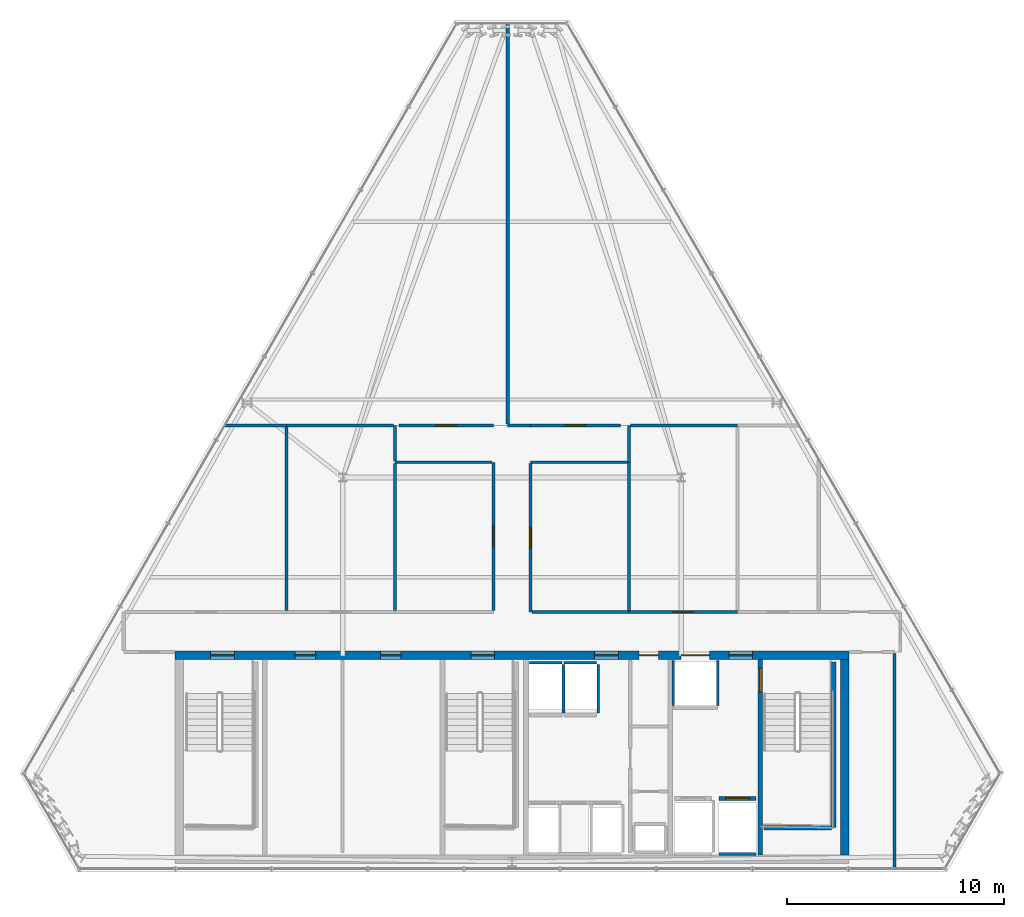
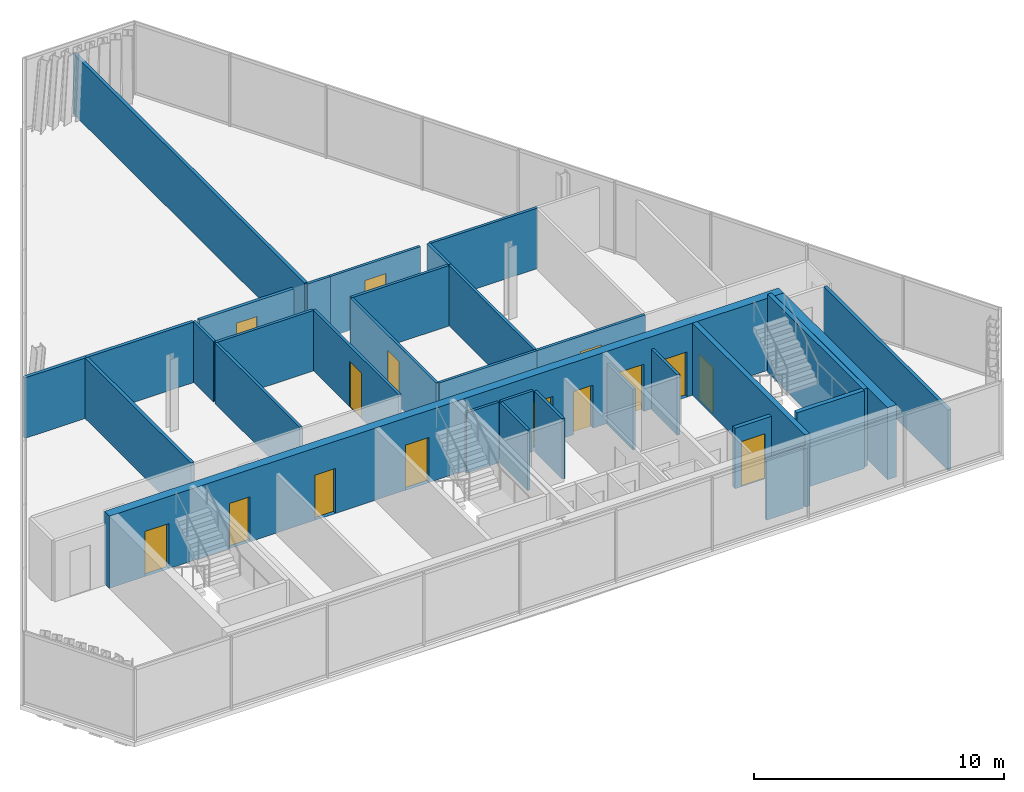
# One storey, part 31 of 35: 32 walls, 15 doors, 15 openings.
"""IFC4 building model written with IfcOpenShell, lengths in metres."""

from ifc_helpers import new_model, si_unit, direction, frame, frame_2d, origin, place, context, subcontext, project, spatial, rectangle, extrude, material, layer, layer_set, type_object, element, fill, save


model = new_model("IFC4")

# Units and contexts
model_context = context("Model", 3, precision=1e-05, world=origin(), true_north=direction((0.0, 1.0)))
body_context = subcontext(model_context, "Body", "Model", "MODEL_VIEW")
ifc_project = project(units=[si_unit("LENGTHUNIT", "METRE"), si_unit("AREAUNIT", "SQUARE_METRE"), si_unit("VOLUMEUNIT", "CUBIC_METRE"), si_unit("PLANEANGLEUNIT", "RADIAN"), si_unit("MASSUNIT", "GRAM", prefix="KILO")], contexts=[model_context])

# Site, building, storey
site_placement = place(None, origin())
site = spatial("IfcSite", under=ifc_project, at=site_placement, CompositionType="ELEMENT")
building_placement = place(site_placement, origin())
building = spatial("IfcBuilding", under=site, at=building_placement, Name="Ndaravel Arena Tower", CompositionType="ELEMENT")
storey_placement = place(building_placement, frame((0.0, 0.0, 275.0)))
storey = spatial("IfcBuildingStorey", under=building, at=storey_placement, Name="L67", CompositionType="ELEMENT", Elevation=275.0)

# Wall, opening, door
ifc_material_1 = material(Name="Concrete C50/60", Category="concrete")
ifc_layer_1 = layer(ifc_material_1, 0.219970703125)
ifc_layer_set_1 = layer_set([ifc_layer_1], Name="Concrete C50/60")
wall_type_1 = type_object("IfcWallType", Name="WALL-CORE-220", PredefinedType="SOLIDWALL", material=ifc_layer_set_1)
wall_1_placement = place(storey_placement, frame((53.449951171875, 5.800048828125, 0.0), z_axis=(0.0, 0.0, 1.0), x_axis=(0.0, 1.0, 0.0)))
wall_1 = element("IfcWall", 1, at=wall_1_placement, inside=storey, type_object=wall_type_1, Name="L67 Core Web Shear Wall 5", PredefinedType="SOLIDWALL", context=body_context, shape_type="SweptSolid", body=[
    extrude(rectangle(XDim=9.0, YDim=0.219970703125, at=frame_2d((4.5, 0.0))), origin(), (0.0, 0.0, 1.0), 3.52001953125),
])
opening_1_placement = place(wall_1_placement, frame((7.5, 0.0, 0.0)))
opening_1 = element("IfcOpeningElement", 2, at=opening_1_placement, cuts=wall_1, Name="Opening FD-01", PredefinedType="OPENING", context=body_context, shape_type="SweptSolid", body=[
    extrude(rectangle(XDim=1.10009765625, YDim=2.199951171875, at=frame_2d((0.550048828125, 1.10009765625))), frame((0.0, 0.10986328125, 0.0), z_axis=(0.0, -1.0, 0.0), x_axis=(1.0, 0.0, 0.0)), (0.0, 0.0, 1.0), 0.219970703125),
])
ifc_material_2 = material(Name="Steel S355", Category="steel")
door_type_1 = type_object("IfcDoorType", Name="DT-01-STAIR-1100", OperationType="SINGLE_SWING_LEFT", PredefinedType="DOOR", material=ifc_material_2)
door_1_placement = place(opening_1_placement, origin())
door_1 = element("IfcDoor", 3, at=door_1_placement, inside=storey, type_object=door_type_1, Name="L67 Firefighting Lobby to ST-3 Door", OperationType="SINGLE_SWING_LEFT", OverallHeight=2.199951171875, OverallWidth=1.10009765625, PredefinedType="DOOR", context=body_context, shape_type="SweptSolid", body=[
    extrude(rectangle(XDim=1.10009765625, YDim=2.199951171875, at=frame_2d((0.550048828125, 1.10009765625))), frame((0.0, 0.02490234375, 0.0), z_axis=(0.0, -1.0, 0.0), x_axis=(1.0, 0.0, 0.0)), (0.0, 0.0, 1.0), 0.050048828125),
])
fill(opening_1, door_1)

# Wall, openings, doors
ifc_material_3 = material(Name="Concrete C50/60", Category="concrete")
ifc_layer_2 = layer(ifc_material_3, 0.39990234375)
ifc_layer_set_2 = layer_set([ifc_layer_2], Name="Concrete C50/60")
wall_type_2 = type_object("IfcWallType", Name="WALL-CORE-400", PredefinedType="SOLIDWALL", material=ifc_layer_set_2)
wall_2_placement = place(storey_placement, frame((26.449951171875, 15.0, 0.0), z_axis=(0.0, 0.0, 1.0), x_axis=(1.0, 0.0, 0.0)))
wall_2 = element("IfcWall", 4, at=wall_2_placement, inside=storey, type_object=wall_type_2, Name="L67 Core North Shear Wall", PredefinedType="SOLIDWALL", context=body_context, shape_type="SweptSolid", body=[
    extrude(rectangle(XDim=31.10009765625, YDim=0.39990234375, at=frame_2d((15.550048828125, 0.0))), origin(), (0.0, 0.0, 1.0), 3.52001953125),
])
opening_2_placement = place(wall_2_placement, frame((1.64990234375, 0.0, 0.0)))
opening_2 = element("IfcOpeningElement", 5, at=opening_2_placement, cuts=wall_2, Name="Opening FD-01", PredefinedType="OPENING", context=body_context, shape_type="SweptSolid", body=[
    extrude(rectangle(XDim=1.10009765625, YDim=2.199951171875, at=frame_2d((0.550048828125, 1.10009765625))), frame((0.0, 0.199951171875, 0.0), z_axis=(0.0, -1.0, 0.0), x_axis=(1.0, 0.0, 0.0)), (0.0, 0.0, 1.0), 0.39990234375),
])
opening_3_placement = place(wall_2_placement, frame((13.64990234375, 0.0, 0.0)))
opening_3 = element("IfcOpeningElement", 6, at=opening_3_placement, cuts=wall_2, Name="Opening FD-01", PredefinedType="OPENING", context=body_context, shape_type="SweptSolid", body=[
    extrude(rectangle(XDim=1.10009765625, YDim=2.199951171875, at=frame_2d((0.550048828125, 1.10009765625))), frame((0.0, 0.199951171875, 0.0), z_axis=(0.0, -1.0, 0.0), x_axis=(1.0, 0.0, 0.0)), (0.0, 0.0, 1.0), 0.39990234375),
])
opening_4_placement = place(wall_2_placement, frame((25.550048828125, 0.0, 0.0)))
opening_4 = element("IfcOpeningElement", 7, at=opening_4_placement, cuts=wall_2, Name="Opening FD-01", PredefinedType="OPENING", context=body_context, shape_type="SweptSolid", body=[
    extrude(rectangle(XDim=1.10009765625, YDim=2.199951171875, at=frame_2d((0.550048828125, 1.10009765625))), frame((0.0, 0.199951171875, 0.0), z_axis=(0.0, -1.0, 0.0), x_axis=(1.0, 0.0, 0.0)), (0.0, 0.0, 1.0), 0.39990234375),
])
opening_5_placement = place(wall_2_placement, frame((19.35009765625, 0.0, 0.0)))
opening_5 = element("IfcOpeningElement", 8, at=opening_5_placement, cuts=wall_2, Name="Opening FD-01", PredefinedType="OPENING", context=body_context, shape_type="SweptSolid", body=[
    extrude(rectangle(XDim=1.10009765625, YDim=2.199951171875, at=frame_2d((0.550048828125, 1.10009765625))), frame((0.0, 0.199951171875, 0.0), z_axis=(0.0, -1.0, 0.0), x_axis=(1.0, 0.0, 0.0)), (0.0, 0.0, 1.0), 0.39990234375),
])
opening_6_placement = place(wall_2_placement, frame((21.39990234375, 0.0, 0.0)))
opening_6 = element("IfcOpeningElement", 9, at=opening_6_placement, cuts=wall_2, Name="Opening RD-01", PredefinedType="OPENING", context=body_context, shape_type="SweptSolid", body=[
    extrude(rectangle(XDim=0.89990234375, YDim=2.10009765625, at=frame_2d((0.449951171875, 1.050048828125))), frame((0.0, 0.199951171875, 0.0), z_axis=(0.0, -1.0, 0.0), x_axis=(1.0, 0.0, 0.0)), (0.0, 0.0, 1.0), 0.39990234375),
])
opening_7_placement = place(wall_2_placement, frame((5.5400390625, 0.0, 0.0)))
opening_7 = element("IfcOpeningElement", 10, at=opening_7_placement, cuts=wall_2, Name="Opening FD-03", PredefinedType="OPENING", context=body_context, shape_type="SweptSolid", body=[
    extrude(rectangle(XDim=0.949951171875, YDim=2.199951171875, at=frame_2d((0.47509765625, 1.10009765625))), frame((0.0, 0.199951171875, 0.0), z_axis=(0.0, -1.0, 0.0), x_axis=(1.0, 0.0, 0.0)), (0.0, 0.0, 1.0), 0.39990234375),
])
opening_8_placement = place(wall_2_placement, frame((9.489990234375, 0.0, 0.0)))
opening_8 = element("IfcOpeningElement", 11, at=opening_8_placement, cuts=wall_2, Name="Opening FD-03", PredefinedType="OPENING", context=body_context, shape_type="SweptSolid", body=[
    extrude(rectangle(XDim=0.949951171875, YDim=2.199951171875, at=frame_2d((0.47509765625, 1.10009765625))), frame((0.0, 0.199951171875, 0.0), z_axis=(0.0, -1.0, 0.0), x_axis=(1.0, 0.0, 0.0)), (0.0, 0.0, 1.0), 0.39990234375),
])
opening_9_placement = place(wall_2_placement, frame((23.35009765625, 0.0, 0.0)))
opening_9 = element("IfcOpeningElement", 12, at=opening_9_placement, cuts=wall_2, Name="Opening LD-02", PredefinedType="OPENING", context=body_context, shape_type="SweptSolid", body=[
    extrude(rectangle(XDim=1.300048828125, YDim=2.300048828125, at=frame_2d((0.64990234375, 1.14990234375))), frame((0.0, 0.199951171875, 0.0), z_axis=(0.0, -1.0, 0.0), x_axis=(1.0, 0.0, 0.0)), (0.0, 0.0, 1.0), 0.39990234375),
])
door_2_placement = place(opening_2_placement, origin())
door_2 = element("IfcDoor", 13, at=door_2_placement, inside=storey, type_object=door_type_1, Name="L67 Exit Stair ST-1 Door", OperationType="SINGLE_SWING_RIGHT", OverallHeight=2.199951171875, OverallWidth=1.10009765625, PredefinedType="DOOR", context=body_context, shape_type="SweptSolid", body=[
    extrude(rectangle(XDim=1.10009765625, YDim=2.199951171875, at=frame_2d((0.550048828125, 1.10009765625))), frame((0.0, 0.02490234375, 0.0), z_axis=(0.0, -1.0, 0.0), x_axis=(1.0, 0.0, 0.0)), (0.0, 0.0, 1.0), 0.050048828125),
])
fill(opening_2, door_2)
door_3_placement = place(opening_3_placement, origin())
door_3 = element("IfcDoor", 14, at=door_3_placement, inside=storey, type_object=door_type_1, Name="L67 Exit Stair ST-2 Door", OperationType="SINGLE_SWING_LEFT", OverallHeight=2.199951171875, OverallWidth=1.10009765625, PredefinedType="DOOR", context=body_context, shape_type="SweptSolid", body=[
    extrude(rectangle(XDim=1.10009765625, YDim=2.199951171875, at=frame_2d((0.550048828125, 1.10009765625))), frame((0.0, 0.02490234375, 0.0), z_axis=(0.0, -1.0, 0.0), x_axis=(1.0, 0.0, 0.0)), (0.0, 0.0, 1.0), 0.050048828125),
])
fill(opening_3, door_3)
door_4_placement = place(opening_4_placement, origin())
door_4 = element("IfcDoor", 15, at=door_4_placement, inside=storey, type_object=door_type_1, Name="L67 Firefighting Lift Lobby Door", OperationType="SINGLE_SWING_RIGHT", OverallHeight=2.199951171875, OverallWidth=1.10009765625, PredefinedType="DOOR", context=body_context, shape_type="SweptSolid", body=[
    extrude(rectangle(XDim=1.10009765625, YDim=2.199951171875, at=frame_2d((0.550048828125, 1.10009765625))), frame((0.0, 0.02490234375, 0.0), z_axis=(0.0, -1.0, 0.0), x_axis=(1.0, 0.0, 0.0)), (0.0, 0.0, 1.0), 0.050048828125),
])
fill(opening_4, door_4)
door_5_placement = place(opening_5_placement, origin())
door_5 = element("IfcDoor", 16, at=door_5_placement, inside=storey, type_object=door_type_1, Name="L67 Express Lift Lobby Entry Door", OperationType="SINGLE_SWING_LEFT", OverallHeight=2.199951171875, OverallWidth=1.10009765625, PredefinedType="DOOR", context=body_context, shape_type="SweptSolid", body=[
    extrude(rectangle(XDim=1.10009765625, YDim=2.199951171875, at=frame_2d((0.550048828125, 1.10009765625))), frame((0.0, 0.02490234375, 0.0), z_axis=(0.0, -1.0, 0.0), x_axis=(1.0, 0.0, 0.0)), (0.0, 0.0, 1.0), 0.050048828125),
])
fill(opening_5, door_5)
ifc_material_4 = material(Name="Steel S355", Category="steel")
door_type_2 = type_object("IfcDoorType", Name="DT-07-SVLIFT-1300", OperationType="DOUBLE_DOOR_SLIDING", PredefinedType="DOOR", material=ifc_material_4)
door_6_placement = place(opening_9_placement, origin())
door_6 = element("IfcDoor", 17, at=door_6_placement, inside=storey, type_object=door_type_2, Name="L67 Lift SVL-1 Sliding Landing Door", OperationType="DOUBLE_DOOR_SLIDING", OverallHeight=2.300048828125, OverallWidth=1.300048828125, PredefinedType="DOOR", context=body_context, shape_type="SweptSolid", body=[
    extrude(rectangle(XDim=1.300048828125, YDim=2.300048828125, at=frame_2d((0.64990234375, 1.14990234375))), frame((0.0, 0.02490234375, 0.0), z_axis=(0.0, -1.0, 0.0), x_axis=(1.0, 0.0, 0.0)), (0.0, 0.0, 1.0), 0.050048828125),
])
fill(opening_9, door_6)
ifc_material_5 = material(Name="Steel S355", Category="steel")
door_type_3 = type_object("IfcDoorType", Name="DT-08-RISER-900", OperationType="SINGLE_SWING_LEFT", PredefinedType="DOOR", material=ifc_material_5)
door_7_placement = place(opening_6_placement, origin())
door_7 = element("IfcDoor", 18, at=door_7_placement, inside=storey, type_object=door_type_3, Name="L67 Core Service Riser North Door", OperationType="SINGLE_SWING_LEFT", OverallHeight=2.10009765625, OverallWidth=0.89990234375, PredefinedType="DOOR", context=body_context, shape_type="SweptSolid", body=[
    extrude(rectangle(XDim=0.89990234375, YDim=2.10009765625, at=frame_2d((0.449951171875, 1.050048828125))), frame((0.0, 0.02490234375, 0.0), z_axis=(0.0, -1.0, 0.0), x_axis=(1.0, 0.0, 0.0)), (0.0, 0.0, 1.0), 0.050048828125),
])
fill(opening_6, door_7)
ifc_material_6 = material(Name="Steel S355", Category="steel")
door_type_4 = type_object("IfcDoorType", Name="DT-11-CORE-950", OperationType="SINGLE_SWING_LEFT", PredefinedType="DOOR", material=ifc_material_6)
door_8_placement = place(opening_7_placement, origin())
door_8 = element("IfcDoor", 19, at=door_8_placement, inside=storey, type_object=door_type_4, Name="L67 High-Zone Reclaimed Core Room 1 Door", OperationType="SINGLE_SWING_LEFT", OverallHeight=2.199951171875, OverallWidth=0.949951171875, PredefinedType="DOOR", context=body_context, shape_type="SweptSolid", body=[
    extrude(rectangle(XDim=0.949951171875, YDim=2.199951171875, at=frame_2d((0.47509765625, 1.10009765625))), frame((0.0, 0.02490234375, 0.0), z_axis=(0.0, -1.0, 0.0), x_axis=(1.0, 0.0, 0.0)), (0.0, 0.0, 1.0), 0.050048828125),
])
fill(opening_7, door_8)
door_9_placement = place(opening_8_placement, origin())
door_9 = element("IfcDoor", 20, at=door_9_placement, inside=storey, type_object=door_type_4, Name="L67 High-Zone Reclaimed Core Room 2 Door", OperationType="SINGLE_SWING_RIGHT", OverallHeight=2.199951171875, OverallWidth=0.949951171875, PredefinedType="DOOR", context=body_context, shape_type="SweptSolid", body=[
    extrude(rectangle(XDim=0.949951171875, YDim=2.199951171875, at=frame_2d((0.47509765625, 1.10009765625))), frame((0.0, 0.02490234375, 0.0), z_axis=(0.0, -1.0, 0.0), x_axis=(1.0, 0.0, 0.0)), (0.0, 0.0, 1.0), 0.050048828125),
])
fill(opening_8, door_9)

# Wall
wall_3_placement = place(storey_placement, frame((57.35009765625, 5.800048828125, 0.0), z_axis=(0.0, 0.0, 1.0), x_axis=(0.0, 1.0, 0.0)))
element("IfcWall", 21, at=wall_3_placement, inside=storey, type_object=wall_type_2, Name="L67 Core East Shear Wall", PredefinedType="SOLIDWALL", context=body_context, shape_type="SweptSolid", body=[
    extrude(rectangle(XDim=9.0, YDim=0.39990234375, at=frame_2d((4.5, 0.0))), origin(), (0.0, 0.0, 1.0), 3.52001953125),
])

# Wall, opening, door
ifc_material_7 = material(Name="Gypsum", Category="gypsum")
ifc_layer_3 = layer(ifc_material_7, 0.125)
ifc_layer_set_3 = layer_set([ifc_layer_3], Name="Gypsum")
wall_type_3 = type_object("IfcWallType", Name="WALL-PART-125", PredefinedType="PARTITIONING", material=ifc_layer_set_3)
wall_4_placement = place(storey_placement, frame((41.14990234375, 17.06494140625, 0.0), z_axis=(0.0, 0.0, 1.0), x_axis=(0.0, 1.0, 0.0)))
wall_4 = element("IfcWall", 22, at=wall_4_placement, inside=storey, type_object=wall_type_3, Name="L67 Interior Partition 008", PredefinedType="PARTITIONING", context=body_context, shape_type="SweptSolid", body=[
    extrude(rectangle(XDim=6.8349609375, YDim=0.125, at=frame_2d((3.41748046875, 0.0))), origin(), (0.0, 0.0, 1.0), 2.950439453125),
])
opening_10_placement = place(wall_4_placement, frame((2.9423828125, 0.0, 0.0)))
opening_10 = element("IfcOpeningElement", 23, at=opening_10_placement, cuts=wall_4, Name="Opening ID-01", PredefinedType="OPENING", context=body_context, shape_type="SweptSolid", body=[
    extrude(rectangle(XDim=0.949951171875, YDim=2.199951171875, at=frame_2d((0.47509765625, 1.10009765625))), frame((0.0, 0.0625, 0.0), z_axis=(0.0, -1.0, 0.0), x_axis=(1.0, 0.0, 0.0)), (0.0, 0.0, 1.0), 0.125),
])
ifc_material_8 = material(Name="Timber", Category="wood")
door_type_5 = type_object("IfcDoorType", Name="DT-03-OFFICE-950", OperationType="SINGLE_SWING_LEFT", PredefinedType="DOOR", material=ifc_material_8)
door_10_placement = place(opening_10_placement, origin())
door_10 = element("IfcDoor", 24, at=door_10_placement, inside=storey, type_object=door_type_5, Name="L67 Quiet Reading Library Door", OperationType="SINGLE_SWING_RIGHT", OverallHeight=2.199951171875, OverallWidth=0.949951171875, PredefinedType="DOOR", context=body_context, shape_type="SweptSolid", body=[
    extrude(rectangle(XDim=0.949951171875, YDim=2.199951171875, at=frame_2d((0.47509765625, 1.10009765625))), frame((0.0, 0.02490234375, 0.0), z_axis=(0.0, -1.0, 0.0), x_axis=(1.0, 0.0, 0.0)), (0.0, 0.0, 1.0), 0.050048828125),
])
fill(opening_10, door_10)

# Walls
wall_5_placement = place(storey_placement, frame((41.0849609375, 23.89990234375, 0.0), z_axis=(0.0, 0.0, 1.0), x_axis=(-1.0, 0.0, 0.0)))
element("IfcWall", 25, at=wall_5_placement, inside=storey, type_object=wall_type_3, Name="L67 Interior Partition 009", PredefinedType="PARTITIONING", context=body_context, shape_type="SweptSolid", body=[
    extrude(rectangle(XDim=4.48486328125, YDim=0.125, at=frame_2d((2.242431640625, 0.0))), origin(), (0.0, 0.0, 1.0), 2.950439453125),
])
wall_6_placement = place(storey_placement, frame((36.60009765625, 23.965087890625, 0.0), z_axis=(0.0, 0.0, 1.0), x_axis=(0.0, 1.0, 0.0)))
element("IfcWall", 26, at=wall_6_placement, inside=storey, type_object=wall_type_3, Name="L67 Interior Partition 010", PredefinedType="PARTITIONING", context=body_context, shape_type="SweptSolid", body=[
    extrude(rectangle(XDim=1.635009765625, YDim=0.125, at=frame_2d((0.8173828125, 0.0))), origin(), (0.0, 0.0, 1.0), 2.950439453125),
])
wall_7_placement = place(storey_placement, frame((41.800048828125, 25.60009765625, 0.0), z_axis=(0.0, 0.0, 1.0), x_axis=(1.0, 0.0, 0.0)))
element("IfcWall", 27, at=wall_7_placement, inside=storey, type_object=wall_type_3, Name="L67 Interior Partition 012", PredefinedType="PARTITIONING", context=body_context, shape_type="SweptSolid", body=[
    extrude(rectangle(XDim=1.050048828125, YDim=0.125, at=frame_2d((0.52490234375, 0.0))), origin(), (0.0, 0.0, 1.0), 2.950439453125),
])

# Wall, opening, door
wall_8_placement = place(storey_placement, frame((42.85009765625, 25.60009765625, 0.0), z_axis=(0.0, 0.0, 1.0), x_axis=(1.0, 0.0, 0.0)))
wall_8 = element("IfcWall", 28, at=wall_8_placement, inside=storey, type_object=wall_type_3, Name="L67 Interior Partition 013", PredefinedType="PARTITIONING", context=body_context, shape_type="SweptSolid", body=[
    extrude(rectangle(XDim=4.14990234375, YDim=0.125, at=frame_2d((2.074951171875, 0.0))), origin(), (0.0, 0.0, 1.0), 2.950439453125),
])
opening_11_placement = place(wall_8_placement, frame((1.60009765625, 0.0, 0.0)))
opening_11 = element("IfcOpeningElement", 29, at=opening_11_placement, cuts=wall_8, Name="Opening ID-01", PredefinedType="OPENING", context=body_context, shape_type="SweptSolid", body=[
    extrude(rectangle(XDim=0.949951171875, YDim=2.199951171875, at=frame_2d((0.47509765625, 1.10009765625))), frame((0.0, 0.0625, 0.0), z_axis=(0.0, -1.0, 0.0), x_axis=(1.0, 0.0, 0.0)), (0.0, 0.0, 1.0), 0.125),
])
door_11_placement = place(opening_11_placement, origin())
door_11 = element("IfcDoor", 30, at=door_11_placement, inside=storey, type_object=door_type_5, Name="L67 Publication Shop 4 Door", OperationType="SINGLE_SWING_LEFT", OverallHeight=2.199951171875, OverallWidth=0.949951171875, PredefinedType="DOOR", context=body_context, shape_type="SweptSolid", body=[
    extrude(rectangle(XDim=0.949951171875, YDim=2.199951171875, at=frame_2d((0.47509765625, 1.10009765625))), frame((0.0, 0.02490234375, 0.0), z_axis=(0.0, -1.0, 0.0), x_axis=(1.0, 0.0, 0.0)), (0.0, 0.0, 1.0), 0.050048828125),
])
fill(opening_11, door_11)

# Walls
wall_9_placement = place(storey_placement, frame((47.39990234375, 25.60009765625, 0.0), z_axis=(0.0, 0.0, 1.0), x_axis=(0.0, -1.0, 0.0)))
element("IfcWall", 31, at=wall_9_placement, inside=storey, type_object=wall_type_3, Name="L67 Interior Partition 014", PredefinedType="PARTITIONING", context=body_context, shape_type="SweptSolid", body=[
    extrude(rectangle(XDim=1.7001953125, YDim=0.125, at=frame_2d((0.85009765625, 0.0))), origin(), (0.0, 0.0, 1.0), 2.950439453125),
])
wall_10_placement = place(storey_placement, frame((47.3349609375, 23.89990234375, 0.0), z_axis=(0.0, 0.0, 1.0), x_axis=(-1.0, 0.0, 0.0)))
element("IfcWall", 32, at=wall_10_placement, inside=storey, type_object=wall_type_3, Name="L67 Interior Partition 015", PredefinedType="PARTITIONING", context=body_context, shape_type="SweptSolid", body=[
    extrude(rectangle(XDim=4.48486328125, YDim=0.125, at=frame_2d((2.242431640625, 0.0))), origin(), (0.0, 0.0, 1.0), 2.950439453125),
])

# Wall, opening, door
wall_11_placement = place(storey_placement, frame((42.85009765625, 23.8349609375, 0.0), z_axis=(0.0, 0.0, 1.0), x_axis=(0.0, -1.0, 0.0)))
wall_11 = element("IfcWall", 33, at=wall_11_placement, inside=storey, type_object=wall_type_3, Name="L67 Interior Partition 016", PredefinedType="PARTITIONING", context=body_context, shape_type="SweptSolid", body=[
    extrude(rectangle(XDim=6.8349609375, YDim=0.125, at=frame_2d((3.41748046875, 0.0))), origin(), (0.0, 0.0, 1.0), 2.950439453125),
])
opening_12_placement = place(wall_11_placement, frame((2.9423828125, 0.0, 0.0)))
opening_12 = element("IfcOpeningElement", 34, at=opening_12_placement, cuts=wall_11, Name="Opening ID-01", PredefinedType="OPENING", context=body_context, shape_type="SweptSolid", body=[
    extrude(rectangle(XDim=0.949951171875, YDim=2.199951171875, at=frame_2d((0.47509765625, 1.10009765625))), frame((0.0, 0.0625, 0.0), z_axis=(0.0, -1.0, 0.0), x_axis=(1.0, 0.0, 0.0)), (0.0, 0.0, 1.0), 0.125),
])
door_12_placement = place(opening_12_placement, origin())
door_12 = element("IfcDoor", 35, at=door_12_placement, inside=storey, type_object=door_type_5, Name="L67 Floor Security Control Room Door", OperationType="SINGLE_SWING_LEFT", OverallHeight=2.199951171875, OverallWidth=0.949951171875, PredefinedType="DOOR", context=body_context, shape_type="SweptSolid", body=[
    extrude(rectangle(XDim=0.949951171875, YDim=2.199951171875, at=frame_2d((0.47509765625, 1.10009765625))), frame((0.0, 0.02490234375, 0.0), z_axis=(0.0, -1.0, 0.0), x_axis=(1.0, 0.0, 0.0)), (0.0, 0.0, 1.0), 0.050048828125),
])
fill(opening_12, door_12)

# Wall
wall_12_placement = place(storey_placement, frame((42.9150390625, 17.0, 0.0), z_axis=(0.0, 0.0, 1.0), x_axis=(1.0, 0.0, 0.0)))
element("IfcWall", 36, at=wall_12_placement, inside=storey, type_object=wall_type_3, Name="L67 Interior Partition 017", PredefinedType="PARTITIONING", context=body_context, shape_type="SweptSolid", body=[
    extrude(rectangle(XDim=4.48486328125, YDim=0.125, at=frame_2d((2.242431640625, 0.0))), origin(), (0.0, 0.0, 1.0), 2.950439453125),
])

# Wall, opening, door
wall_13_placement = place(storey_placement, frame((47.39990234375, 17.0, 0.0), z_axis=(0.0, 0.0, 1.0), x_axis=(1.0, 0.0, 0.0)))
wall_13 = element("IfcWall", 37, at=wall_13_placement, inside=storey, type_object=wall_type_3, Name="L67 Interior Partition 018", PredefinedType="PARTITIONING", context=body_context, shape_type="SweptSolid", body=[
    extrude(rectangle(XDim=5.0, YDim=0.125, at=frame_2d((2.5, 0.0))), origin(), (0.0, 0.0, 1.0), 2.950439453125),
])
opening_13_placement = place(wall_13_placement, frame((2.02490234375, 0.0, 0.0)))
opening_13 = element("IfcOpeningElement", 38, at=opening_13_placement, cuts=wall_13, Name="Opening ID-01", PredefinedType="OPENING", context=body_context, shape_type="SweptSolid", body=[
    extrude(rectangle(XDim=0.949951171875, YDim=2.199951171875, at=frame_2d((0.47509765625, 1.10009765625))), frame((0.0, 0.0625, 0.0), z_axis=(0.0, -1.0, 0.0), x_axis=(1.0, 0.0, 0.0)), (0.0, 0.0, 1.0), 0.125),
])
door_13_placement = place(opening_13_placement, origin())
door_13 = element("IfcDoor", 39, at=door_13_placement, inside=storey, type_object=door_type_5, Name="L67 Innovation Showroom 3 Door", OperationType="SINGLE_SWING_LEFT", OverallHeight=2.199951171875, OverallWidth=0.949951171875, PredefinedType="DOOR", context=body_context, shape_type="SweptSolid", body=[
    extrude(rectangle(XDim=0.949951171875, YDim=2.199951171875, at=frame_2d((0.47509765625, 1.10009765625))), frame((0.0, 0.02490234375, 0.0), z_axis=(0.0, -1.0, 0.0), x_axis=(1.0, 0.0, 0.0)), (0.0, 0.0, 1.0), 0.050048828125),
])
fill(opening_13, door_13)

# Walls
wall_14_placement = place(storey_placement, frame((36.60009765625, 17.06494140625, 0.0), z_axis=(0.0, 0.0, 1.0), x_axis=(0.0, 1.0, 0.0)))
element("IfcWall", 40, at=wall_14_placement, inside=storey, type_object=wall_type_3, Name="L67 Interior Partition 023", PredefinedType="PARTITIONING", context=body_context, shape_type="SweptSolid", body=[
    extrude(rectangle(XDim=6.77001953125, YDim=0.125, at=frame_2d((3.385009765625, 0.0))), origin(), (0.0, 0.0, 1.0), 2.950439453125),
])
wall_15_placement = place(storey_placement, frame((47.39990234375, 23.89990234375, 0.0), z_axis=(0.0, 0.0, 1.0), x_axis=(0.0, -1.0, 0.0)))
element("IfcWall", 41, at=wall_15_placement, inside=storey, type_object=wall_type_3, Name="L67 Interior Partition 024", PredefinedType="PARTITIONING", context=body_context, shape_type="SweptSolid", body=[
    extrude(rectangle(XDim=6.8349609375, YDim=0.125, at=frame_2d((3.41748046875, 0.0))), origin(), (0.0, 0.0, 1.0), 2.950439453125),
])
wall_16_placement = place(storey_placement, frame((47.465087890625, 25.60009765625, 0.0), z_axis=(0.0, 0.0, 1.0), x_axis=(1.0, 0.0, 0.0)))
element("IfcWall", 42, at=wall_16_placement, inside=storey, type_object=wall_type_3, Name="L67 Interior Partition 030", PredefinedType="PARTITIONING", context=body_context, shape_type="SweptSolid", body=[
    extrude(rectangle(XDim=4.934814453125, YDim=0.125, at=frame_2d((2.46728515625, 0.0))), origin(), (0.0, 0.0, 1.0), 2.950439453125),
])
ifc_material_9 = material(Name="Concrete C40/50", Category="concrete")
ifc_layer_4 = layer(ifc_material_9, 0.1201171875)
ifc_layer_set_4 = layer_set([ifc_layer_4], Name="Concrete C40/50")
wall_type_4 = type_object("IfcWallType", Name="WALL-SHAFT-120", PredefinedType="SOLIDWALL", material=ifc_layer_set_4)
wall_17_placement = place(storey_placement, frame((42.804931640625, 14.659912109375, 0.0), z_axis=(0.0, 0.0, 1.0), x_axis=(1.0, 0.0, 0.0)))
element("IfcWall", 43, at=wall_17_placement, inside=storey, type_object=wall_type_4, Name="L67 PL-OBS1 Shaft Rear Wall", PredefinedType="SOLIDWALL", context=body_context, shape_type="SweptSolid", body=[
    extrude(rectangle(XDim=1.489990234375, YDim=0.1201171875, at=frame_2d((0.7451171875, 0.0))), origin(), (0.0, 0.0, 1.0), 2.950439453125),
])
wall_18_placement = place(storey_placement, frame((44.375, 12.340087890625, 0.0), z_axis=(0.0, 0.0, 1.0), x_axis=(0.0, 1.0, 0.0)))
element("IfcWall", 44, at=wall_18_placement, inside=storey, type_object=wall_type_4, Name="L67 PL-OBS1 Shaft Side R Wall", PredefinedType="SOLIDWALL", context=body_context, shape_type="SweptSolid", body=[
    extrude(rectangle(XDim=2.22998046875, YDim=0.1201171875, at=frame_2d((1.114990234375, 0.0))), origin(), (0.0, 0.0, 1.0), 2.950439453125),
])
wall_19_placement = place(storey_placement, frame((44.405029296875, 14.659912109375, 0.0), z_axis=(0.0, 0.0, 1.0), x_axis=(1.0, 0.0, 0.0)))
element("IfcWall", 45, at=wall_19_placement, inside=storey, type_object=wall_type_4, Name="L67 PL-OBS2 Shaft Rear Wall", PredefinedType="SOLIDWALL", context=body_context, shape_type="SweptSolid", body=[
    extrude(rectangle(XDim=1.489990234375, YDim=0.1201171875, at=frame_2d((0.7451171875, 0.0))), origin(), (0.0, 0.0, 1.0), 2.950439453125),
])
wall_20_placement = place(storey_placement, frame((45.97509765625, 12.340087890625, 0.0), z_axis=(0.0, 0.0, 1.0), x_axis=(0.0, 1.0, 0.0)))
element("IfcWall", 46, at=wall_20_placement, inside=storey, type_object=wall_type_4, Name="L67 PL-OBS2 Shaft Side R Wall", PredefinedType="SOLIDWALL", context=body_context, shape_type="SweptSolid", body=[
    extrude(rectangle(XDim=2.22998046875, YDim=0.1201171875, at=frame_2d((1.114990234375, 0.0))), origin(), (0.0, 0.0, 1.0), 2.950439453125),
])
wall_21_placement = place(storey_placement, frame((51.554931640625, 5.840087890625, 0.0), z_axis=(0.0, 0.0, 1.0), x_axis=(1.0, 0.0, 0.0)))
element("IfcWall", 47, at=wall_21_placement, inside=storey, type_object=wall_type_4, Name="L67 FFL-2 Shaft Rear Wall", PredefinedType="SOLIDWALL", context=body_context, shape_type="SweptSolid", body=[
    extrude(rectangle(XDim=1.690185546875, YDim=0.1201171875, at=frame_2d((0.84521484375, 0.0))), origin(), (0.0, 0.0, 1.0), 2.950439453125),
])
for number, where, z_axis, x_axis, name in (
    (48, (49.43994140625, 12.68994140625, 0.0), (0.0, 0.0, 1.0), (0.0, 1.0, 0.0), "L67 SVL-1 Shaft W Wall"),
    (49, (51.47998046875, 12.68994140625, 0.0), (0.0, 0.0, 1.0), (0.0, 1.0, 0.0), "L67 SVL-1 Shaft E Wall"),
):
    element("IfcWall", number, at=place(storey_placement, frame(where, z_axis=z_axis, x_axis=x_axis)), inside=storey, type_object=wall_type_4, Name=name, PredefinedType="SOLIDWALL", context=body_context, shape_type="SweptSolid", body=[
        extrude(rectangle(XDim=2.070068359375, YDim=0.1201171875, at=frame_2d((1.03515625, 0.0))), origin(), (0.0, 0.0, 1.0), 2.950439453125),
    ])
ifc_material_10 = material(Name="Concrete C40/50", Category="concrete")
ifc_layer_5 = layer(ifc_material_10, 0.199951171875)
ifc_layer_set_5 = layer_set([ifc_layer_5], Name="Concrete C40/50")
wall_type_5 = type_object("IfcWallType", Name="WALL-SHAFT-200", PredefinedType="SOLIDWALL", material=ifc_layer_set_5)
wall_22_placement = place(storey_placement, frame((56.840087890625, 14.699951171875, 0.0), z_axis=(0.0, 0.0, 1.0), x_axis=(0.0, -1.0, 0.0)))
element("IfcWall", 50, at=wall_22_placement, inside=storey, type_object=wall_type_5, Name="L67 ST-3 Structural Shaft Wall Right", PredefinedType="SOLIDWALL", context=body_context, shape_type="SweptSolid", body=[
    extrude(rectangle(XDim=7.64990234375, YDim=0.199951171875, at=frame_2d((3.824951171875, 0.0))), origin(), (0.0, 0.0, 1.0), 3.800048828125),
])
wall_23_placement = place(storey_placement, frame((53.6201171875, 7.050048828125, 0.0), z_axis=(0.0, 0.0, 1.0), x_axis=(1.0, 0.0, 0.0)))
element("IfcWall", 51, at=wall_23_placement, inside=storey, type_object=wall_type_5, Name="L67 ST-3 Structural Shaft Wall Far", PredefinedType="SOLIDWALL", context=body_context, shape_type="SweptSolid", body=[
    extrude(rectangle(XDim=3.114990234375, YDim=0.199951171875, at=frame_2d((1.5576171875, 0.0))), origin(), (0.0, 0.0, 1.0), 3.800048828125),
])

# Wall, opening, door
wall_24_placement = place(storey_placement, frame((51.554931640625, 8.39990234375, 0.0), z_axis=(0.0, 0.0, 1.0), x_axis=(1.0, 0.0, 0.0)))
wall_24 = element("IfcWall", 52, at=wall_24_placement, inside=storey, type_object=wall_type_5, Name="L67 FFL-2 Shaft Landing Wall", PredefinedType="SOLIDWALL", context=body_context, shape_type="SweptSolid", body=[
    extrude(rectangle(XDim=1.690185546875, YDim=0.179931640625, at=frame_2d((0.84521484375, 0.0))), origin(), (0.0, 0.0, 1.0), 2.950439453125),
])
opening_14_placement = place(wall_24_placement, frame((0.294921875, 0.0, 0.0)))
opening_14 = element("IfcOpeningElement", 53, at=opening_14_placement, cuts=wall_24, Name="Opening LD-01", PredefinedType="OPENING", context=body_context, shape_type="SweptSolid", body=[
    extrude(rectangle(XDim=1.10009765625, YDim=2.199951171875, at=frame_2d((0.550048828125, 1.10009765625))), frame((0.0, 0.08984375, 0.0), z_axis=(0.0, -1.0, 0.0), x_axis=(1.0, 0.0, 0.0)), (0.0, 0.0, 1.0), 0.179931640625),
])
ifc_material_11 = material(Name="Steel S355", Category="steel")
door_type_6 = type_object("IfcDoorType", Name="DT-06-LIFT-1100", OperationType="SLIDING_TO_LEFT", PredefinedType="DOOR", material=ifc_material_11)
door_14_placement = place(opening_14_placement, origin())
door_14 = element("IfcDoor", 54, at=door_14_placement, inside=storey, type_object=door_type_6, Name="L67 Lift FFL-2 Sliding Landing Door", OperationType="SLIDING_TO_LEFT", OverallHeight=2.199951171875, OverallWidth=1.10009765625, PredefinedType="DOOR", context=body_context, shape_type="SweptSolid", body=[
    extrude(rectangle(XDim=1.10009765625, YDim=2.199951171875, at=frame_2d((0.550048828125, 1.10009765625))), frame((0.0, 0.02490234375, 0.0), z_axis=(0.0, -1.0, 0.0), x_axis=(1.0, 0.0, 0.0)), (0.0, 0.0, 1.0), 0.050048828125),
])
fill(opening_14, door_14)

ifc_material_12 = material(Name="Masonry", Category="masonry")
ifc_layer_6 = layer(ifc_material_12, 0.14990234375)
ifc_layer_set_6 = layer_set([ifc_layer_6], Name="Masonry")
wall_type_6 = type_object("IfcWallType", Name="WALL-WET-150", PredefinedType="PARTITIONING", material=ifc_layer_set_6)
wall_25_placement = place(storey_placement, frame((36.800048828125, 25.60009765625, 0.0), z_axis=(0.0, 0.0, 1.0), x_axis=(1.0, 0.0, 0.0)))
wall_25 = element("IfcWall", 55, at=wall_25_placement, inside=storey, type_object=wall_type_6, Name="L67 Interior Partition 011", PredefinedType="PARTITIONING", context=body_context, shape_type="SweptSolid", body=[
    extrude(rectangle(XDim=4.349853515625, YDim=0.14990234375, at=frame_2d((2.1748046875, 0.0))), origin(), (0.0, 0.0, 1.0), 2.950439453125),
])
opening_15_placement = place(wall_25_placement, frame((1.699951171875, 0.0, 0.0)))
opening_15 = element("IfcOpeningElement", 56, at=opening_15_placement, cuts=wall_25, Name="Opening FD-03", PredefinedType="OPENING", context=body_context, shape_type="SweptSolid", body=[
    extrude(rectangle(XDim=0.949951171875, YDim=2.199951171875, at=frame_2d((0.47509765625, 1.10009765625))), frame((0.0, 0.074951171875, 0.0), z_axis=(0.0, -1.0, 0.0), x_axis=(1.0, 0.0, 0.0)), (0.0, 0.0, 1.0), 0.14990234375),
])
door_15_placement = place(opening_15_placement, origin())
door_15 = element("IfcDoor", 57, at=door_15_placement, inside=storey, type_object=door_type_4, Name="L67 Floor Servery Kitchen 4 Door", OperationType="SINGLE_SWING_RIGHT", OverallHeight=2.199951171875, OverallWidth=0.949951171875, PredefinedType="DOOR", context=body_context, shape_type="SweptSolid", body=[
    extrude(rectangle(XDim=0.949951171875, YDim=2.199951171875, at=frame_2d((0.47509765625, 1.10009765625))), frame((0.0, 0.02490234375, 0.0), z_axis=(0.0, -1.0, 0.0), x_axis=(1.0, 0.0, 0.0)), (0.0, 0.0, 1.0), 0.050048828125),
])
fill(opening_15, door_15)

# Walls
wall_26_placement = place(storey_placement, frame((59.63623046875, 15.0849609375, 0.0), z_axis=(0.0, 0.0, 1.0), x_axis=(0.0, -1.0, 0.0)))
element("IfcWall", 58, at=wall_26_placement, inside=storey, type_object=wall_type_6, Name="L67 Interior Partition 021", PredefinedType="PARTITIONING", context=body_context, shape_type="SweptSolid", body=[
    extrude(rectangle(XDim=9.925048828125, YDim=0.14990234375, at=frame_2d((4.96240234375, 0.0))), origin(), (0.0, 0.0, 1.0), 2.950439453125),
])
wall_27_placement = place(storey_placement, frame((28.752197265625, 25.60009765625, 0.0), z_axis=(0.0, 0.0, 1.0), x_axis=(1.0, 0.0, 0.0)))
element("IfcWall", 59, at=wall_27_placement, inside=storey, type_object=wall_type_6, Name="L67 Interior Partition 025", PredefinedType="PARTITIONING", context=body_context, shape_type="SweptSolid", body=[
    extrude(rectangle(XDim=2.847900390625, YDim=0.14990234375, at=frame_2d((1.423828125, 0.0))), origin(), (0.0, 0.0, 1.0), 2.950439453125),
])
wall_28_placement = place(storey_placement, frame((31.60009765625, 25.534912109375, 0.0), z_axis=(0.0, 0.0, 1.0), x_axis=(0.0, -1.0, 0.0)))
element("IfcWall", 60, at=wall_28_placement, inside=storey, type_object=wall_type_6, Name="L67 Interior Partition 026", PredefinedType="PARTITIONING", context=body_context, shape_type="SweptSolid", body=[
    extrude(rectangle(XDim=8.469970703125, YDim=0.14990234375, at=frame_2d((4.23486328125, 0.0))), origin(), (0.0, 0.0, 1.0), 2.950439453125),
])
wall_29_placement = place(storey_placement, frame((31.60009765625, 25.60009765625, 0.0), z_axis=(0.0, 0.0, 1.0), x_axis=(1.0, 0.0, 0.0)))
element("IfcWall", 61, at=wall_29_placement, inside=storey, type_object=wall_type_6, Name="L67 Interior Partition 029", PredefinedType="PARTITIONING", context=body_context, shape_type="SweptSolid", body=[
    extrude(rectangle(XDim=4.934814453125, YDim=0.14990234375, at=frame_2d((2.46728515625, 0.0))), origin(), (0.0, 0.0, 1.0), 2.950439453125),
])
wall_30_placement = place(storey_placement, frame((41.800048828125, 44.137939453125, 0.0), z_axis=(0.0, 0.0, 1.0), x_axis=(0.0, -1.0, 0.0)))
element("IfcWall", 62, at=wall_30_placement, inside=storey, type_object=wall_type_6, Name="L67 Interior Partition 031", PredefinedType="PARTITIONING", context=body_context, shape_type="SweptSolid", body=[
    extrude(rectangle(XDim=18.472900390625, YDim=0.14990234375, at=frame_2d((9.236328125, 0.0))), origin(), (0.0, 0.0, 1.0), 2.950439453125),
])

save(model, "model.ifc")
